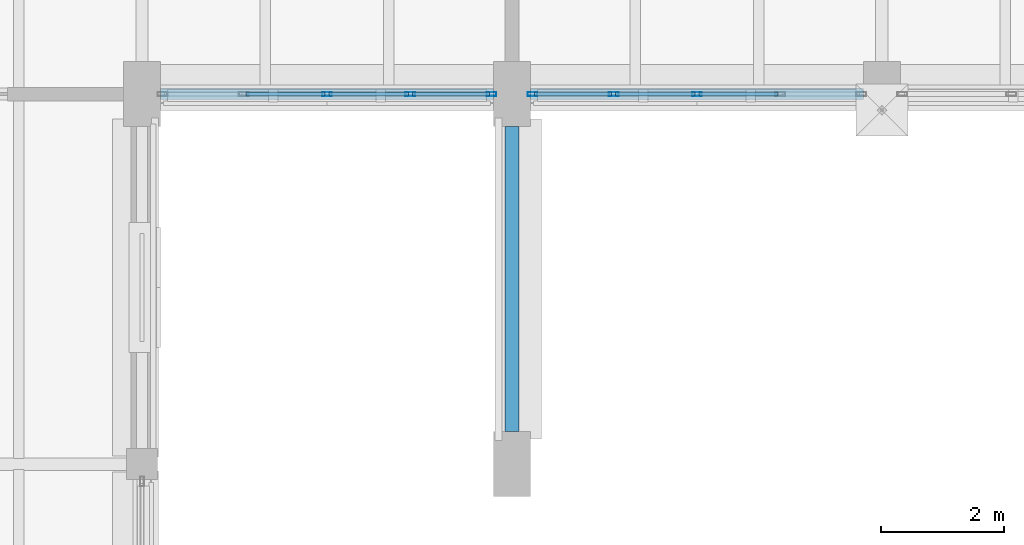
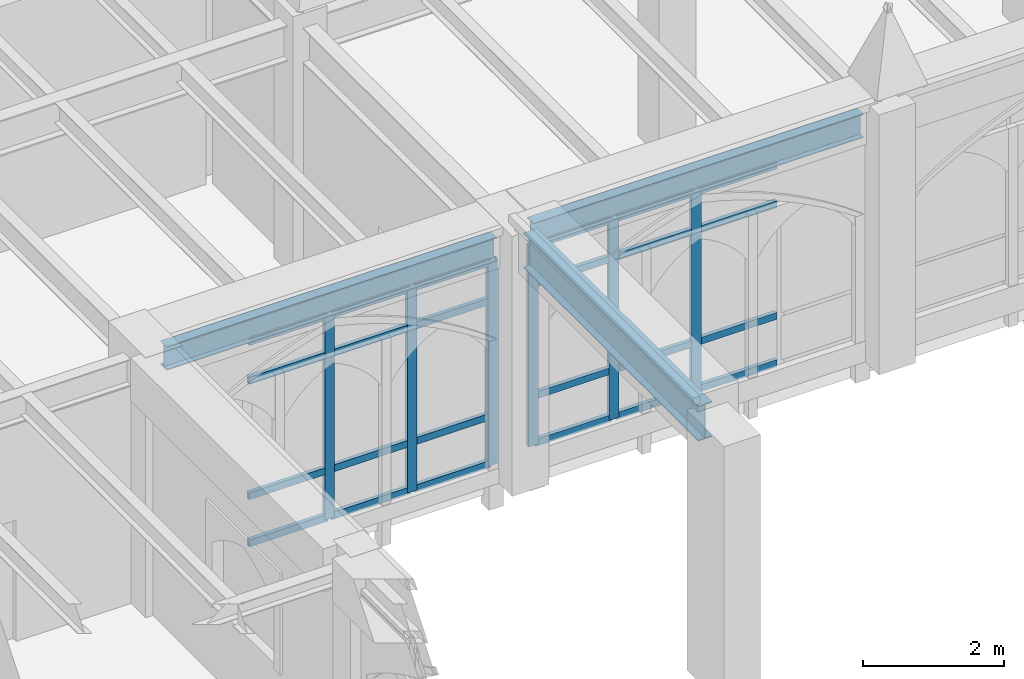
# One storey, part 52 of 143: 30 members, 3 beams, 2 elements without a shape of their own.
"""IFC4 building model written with IfcOpenShell, lengths in metres."""

import ifcopenshell
import ifcopenshell.guid

model = None  # the IFC model being written
_history = None  # IfcOwnerHistory: only IFC2X3 demands one
_inside = {}  # id of a spatial element -> (the spatial element, [elements in it])
_under = {}  # id of a project, library or spatial element -> (it, [spatial elements below it])
_declared = {}  # id of a project -> (the project, [libraries it declares])
_typed = {}  # id of a type object -> (the type object, [elements of that type])
_made_of = {}  # id of a material, layer set ... -> (it, [elements and type objects made of it])


def new_model(schema):
    """Start an empty IFC model of exactly this schema.

    Asked for "IFC4X3", IfcOpenShell would pick the latest addendum, in which some entities
    have other attributes; the version numbers below select the first issue.
    IFC2X3 requires an IfcOwnerHistory on every rooted entity: one is made here for all.
    """
    global model, _history
    if schema == "IFC4X3":
        model = ifcopenshell.file(schema_version=(4, 3, 0, 0))
    else:
        model = ifcopenshell.file(schema=schema)
    _inside.clear()
    _under.clear()
    _declared.clear()
    _typed.clear()
    _made_of.clear()
    _history = None
    if model.schema == "IFC2X3":
        org = make("IfcOrganization", Name="unknown")
        user = make(
            "IfcPersonAndOrganization",
            ThePerson=make("IfcPerson", FamilyName="unknown"),
            TheOrganization=org,
        )
        app = make(
            "IfcApplication",
            ApplicationDeveloper=org,
            Version="unknown",
            ApplicationFullName="unknown",
            ApplicationIdentifier="unknown",
        )
        _history = make(
            "IfcOwnerHistory",
            OwningUser=user,
            OwningApplication=app,
            ChangeAction="ADDED",
            CreationDate=0,
        )
    return model


def make(cls, **values):
    """One entity of the class cls with the attributes given. An attribute that is None is left unset."""
    return model.create_entity(
        cls, **{name: value for name, value in values.items() if value is not None}
    )


def rooted(cls, **values):
    """An entity with a GlobalId (a new one), such as an element, a storey or a relation."""
    return make(cls, GlobalId=ifcopenshell.guid.new(), OwnerHistory=_history, **values)


def si_unit(unit_type, name, prefix=None):
    """IfcSIUnit, for example si_unit("LENGTHUNIT", "METRE", prefix="MILLI")."""
    return make("IfcSIUnit", UnitType=unit_type, Prefix=prefix, Name=name)


def assignment(units):
    """IfcUnitAssignment: the units of a project."""
    return None if units is None else make("IfcUnitAssignment", Units=units)


def point(xyz):
    """IfcCartesianPoint."""
    return None if xyz is None else make("IfcCartesianPoint", Coordinates=xyz)


def direction(xyz):
    """IfcDirection."""
    return None if xyz is None else make("IfcDirection", DirectionRatios=xyz)


def frame(location, z_axis=None, x_axis=None):
    """IfcAxis2Placement3D, a coordinate frame: its origin and axes. An axis left out is left unset."""
    return make(
        "IfcAxis2Placement3D",
        Location=point(location),
        Axis=direction(z_axis),
        RefDirection=direction(x_axis),
    )


def frame_2d(location, x_axis=None):
    """IfcAxis2Placement2D, a coordinate frame in the plane: its origin and x axis."""
    return make(
        "IfcAxis2Placement2D", Location=point(location), RefDirection=direction(x_axis)
    )


def origin():
    """The frame at (0, 0, 0) with its axes left unset."""
    return frame((0.0, 0.0, 0.0))


def origin_2d():
    """The frame at (0, 0) in the plane with its x axis left unset."""
    return frame_2d((0.0, 0.0))


def place(relative_to, where):
    """IfcLocalPlacement: puts the frame where relative to a parent placement (None: the world)."""
    return make(
        "IfcLocalPlacement", PlacementRelTo=relative_to, RelativePlacement=where
    )


def context(
    kind, dimensions, precision=None, world=None, true_north=None, identifier=None
):
    """IfcGeometricRepresentationContext, for example the 3D "Model" context."""
    return make(
        "IfcGeometricRepresentationContext",
        ContextIdentifier=identifier,
        ContextType=kind,
        CoordinateSpaceDimension=dimensions,
        Precision=precision,
        WorldCoordinateSystem=world,
        TrueNorth=true_north,
    )


def subcontext(parent, identifier, kind, view, scale=None):
    """IfcGeometricRepresentationSubContext, for example "Body" below "Model"."""
    return make(
        "IfcGeometricRepresentationSubContext",
        ContextIdentifier=identifier,
        ContextType=kind,
        ParentContext=parent,
        TargetScale=scale,
        TargetView=view,
    )


def project(units=None, contexts=None):
    """IfcProject with its units and contexts."""
    return rooted(
        "IfcProject",
        Name="project",
        RepresentationContexts=contexts,
        UnitsInContext=assignment(units),
    )


def spatial(cls, under=None, at=None, **own):
    """A site, building, storey or space (cls), placed at a placement, below another one or the project."""
    s = rooted(cls, ObjectPlacement=at, **own)
    if under is not None:
        _under.setdefault(under.id(), (under, []))[1].append(s)
    return s


def profile(cls, at=None, kind="AREA", **sizes):
    """A parametric profile (cls). Its sizes go by their IFC names, for example OverallWidth=200.0."""
    return make(cls, ProfileType=kind, Position=at, **sizes)


def hollow_rectangle(**sizes):
    """IfcRectangleHollowProfileDef."""
    return profile("IfcRectangleHollowProfileDef", **sizes)


def i_section(**sizes):
    """IfcIShapeProfileDef."""
    return profile("IfcIShapeProfileDef", **sizes)


def extrude(swept, where, along, depth):
    """IfcExtrudedAreaSolid: the profile swept, set in the frame where, extruded along a direction by depth."""
    return make(
        "IfcExtrudedAreaSolid",
        SweptArea=swept,
        Position=where,
        ExtrudedDirection=direction(along),
        Depth=depth,
    )


def shape(context_of_items, identifier, shape_type, items):
    """IfcShapeRepresentation: the items that make up one representation, for example the "Body"."""
    return make(
        "IfcShapeRepresentation",
        ContextOfItems=context_of_items,
        RepresentationIdentifier=identifier,
        RepresentationType=shape_type,
        Items=items,
    )


def material(Name=None, Category=None):
    """IfcMaterial."""
    return make("IfcMaterial", Name=Name, Category=Category)


def layer(
    of_material, thickness, ventilated=None, Name=None, Category=None, Priority=None
):
    """IfcMaterialLayer: one layer of a wall or slab, of a material (None: an air gap)."""
    return make(
        "IfcMaterialLayer",
        Material=of_material,
        LayerThickness=thickness,
        IsVentilated=ventilated,
        Name=Name,
        Category=Category,
        Priority=Priority,
    )


def layer_set(layers, Name=None):
    """IfcMaterialLayerSet."""
    return make("IfcMaterialLayerSet", MaterialLayers=layers, LayerSetName=Name)


def material_profile(
    of_material, cross_section, Name=None, Category=None, Priority=None
):
    """IfcMaterialProfile: a cross section and its material."""
    return make(
        "IfcMaterialProfile",
        Name=Name,
        Material=of_material,
        Profile=cross_section,
        Priority=Priority,
        Category=Category,
    )


def profile_set(profiles, Name=None, composite=None):
    """IfcMaterialProfileSet."""
    return make(
        "IfcMaterialProfileSet",
        Name=Name,
        MaterialProfiles=profiles,
        CompositeProfile=composite,
    )


def made_of(thing, what):
    """Note that an element or type object is made of a material, layer set ...; save() writes the relation."""
    if what is not None:
        _made_of.setdefault(what.id(), (what, []))[1].append(thing)
    return thing


def type_object(cls, material=None, **own):
    """A type object (cls), such as IfcWallType, which elements share."""
    return made_of(rooted(cls, **own), material)


def element(
    cls,
    number,
    at=None,
    inside=None,
    cuts=None,
    type_object=None,
    material=None,
    context=None,
    identifier="Body",
    shape_type=None,
    held_by="IfcProductDefinitionShape",
    body=None,
    shapes=None,
    **own,
):
    """One element of the class cls, such as IfcWall. Its Tag is "e" and its number.

    at: its placement. inside: the storey or other place that contains it. cuts: it is an
    opening in that element (IfcRelVoidsElement). A single representation is given by context,
    identifier, shape_type and body (its items); several are given by shapes. held_by: the class
    of the entity that holds the representations. save() writes the other relations.
    """
    e = rooted(cls, Tag="e%d" % number, ObjectPlacement=at, **own)
    if body is not None:
        shapes = [shape(context, identifier, shape_type, body)]
    if shapes is not None:
        e.Representation = make(held_by, Representations=shapes)
    if inside is not None:
        _inside.setdefault(inside.id(), (inside, []))[1].append(e)
    if cuts is not None:
        rooted(
            "IfcRelVoidsElement", RelatingBuildingElement=cuts, RelatedOpeningElement=e
        )
    if type_object is not None:
        _typed.setdefault(type_object.id(), (type_object, []))[1].append(e)
    return made_of(e, material)


def aggregate(whole, parts):
    """IfcRelAggregates: a whole, such as a stair, and the parts it consists of."""
    return rooted("IfcRelAggregates", RelatingObject=whole, RelatedObjects=parts)


def save(model, path):
    """Write the relations noted so far, then the file.

    IfcRelAggregates (storeys below a building ...), IfcRelContainedInSpatialStructure (elements
    in a storey), IfcRelDefinesByType, IfcRelAssociatesMaterial and IfcRelDeclares: one each for
    every whole, place, type object, material and project.
    """
    for whole, parts in _under.values():
        aggregate(whole, parts)
    for where, things in _inside.values():
        rooted(
            "IfcRelContainedInSpatialStructure",
            RelatedElements=things,
            RelatingStructure=where,
        )
    for kind, things in _typed.values():
        rooted("IfcRelDefinesByType", RelatedObjects=things, RelatingType=kind)
    for what, things in _made_of.values():
        rooted("IfcRelAssociatesMaterial", RelatedObjects=things, RelatingMaterial=what)
    for by, libraries in _declared.values():
        rooted("IfcRelDeclares", RelatingContext=by, RelatedDefinitions=libraries)
    model.write(path)


model = new_model("IFC4")

# Units and contexts
model_context = context("Model", 3, precision=1e-05, world=origin(), true_north=direction((0.0, 1.0)))
body_context = subcontext(model_context, "Body", "Model", "MODEL_VIEW")
ifc_project = project(units=[si_unit("LENGTHUNIT", "METRE"), si_unit("AREAUNIT", "SQUARE_METRE"), si_unit("VOLUMEUNIT", "CUBIC_METRE"), si_unit("PLANEANGLEUNIT", "RADIAN"), si_unit("MASSUNIT", "GRAM", prefix="KILO")], contexts=[model_context])

# Site, building, storey
site_placement = place(None, origin())
site = spatial("IfcSite", under=ifc_project, at=site_placement, CompositionType="ELEMENT")
building_placement = place(site_placement, origin())
building = spatial("IfcBuilding", under=site, at=building_placement, Name="Cumevento Cable Car Station", CompositionType="ELEMENT")
storey_placement = place(building_placement, frame((0.0, 0.0, 9.0)))
storey = spatial("IfcBuildingStorey", under=building, at=storey_placement, Name="L03", CompositionType="ELEMENT", Elevation=9.0)

# Curtain wall, members
ifc_material_1 = material(Name="Anodised Bronze Aluminium AW-6063-T6", Category="aluminium")
ifc_layer_1 = layer(ifc_material_1, 0.219970703125)
ifc_layer_set_1 = layer_set([ifc_layer_1], Name="Anodised Bronze Aluminium AW-6063-T6")
curtain_wall_type_1 = type_object("IfcCurtainWallType", Name="Lancet Curtain Wall CW-11 1450", PredefinedType="NOTDEFINED", material=ifc_layer_set_1)
curtain_wall_1_placement = place(storey_placement, origin())
curtain_wall_1 = element("IfcCurtainWall", 1, at=curtain_wall_1_placement, inside=storey, type_object=curtain_wall_type_1, Name="Lancet Curtain Wall CW-11 L03 #106", PredefinedType="NOTDEFINED")
ifc_material_2 = material(Name="Anodised Bronze Aluminium AW-6063-T6", Category="aluminium")
ifc_material_profile_1 = material_profile(ifc_material_2, hollow_rectangle(XDim=0.06494140625, YDim=0.159912109375, WallThickness=0.00390625, at=origin_2d()), Name="ALUM65x160x4")
ifc_profile_set_1 = profile_set([ifc_material_profile_1], Name="Anodised Bronze Aluminium AW-6063-T6")
member_type_1 = type_object("IfcMemberType", Name="Curtain Mullion CWM-01 ALUM65x160x4", PredefinedType="MULLION", material=ifc_profile_set_1)
member_1_placement = place(storey_placement, frame((87.66748046875, 45.0, 0.260009765625), z_axis=(0.0, 0.0, 1.0), x_axis=(0.0, -1.0, 0.0)))
member_1 = element("IfcMember", 2, at=member_1_placement, type_object=member_type_1, Name="CW-11 mullion 1", PredefinedType="MULLION", context=body_context, shape_type="SweptSolid", body=[
    extrude(hollow_rectangle(XDim=0.06494140625, YDim=0.159912109375, WallThickness=0.00390625, at=origin_2d()), origin(), (0.0, 0.0, 1.0), 3.549072265625),
])
member_2_placement = place(storey_placement, frame((86.35009765625, 45.0, 0.260009765625), z_axis=(0.0, 0.0, 1.0), x_axis=(0.0, -1.0, 0.0)))
member_2 = element("IfcMember", 3, at=member_2_placement, type_object=member_type_1, Name="CW-11 mullion 2", PredefinedType="MULLION", context=body_context, shape_type="SweptSolid", body=[
    extrude(hollow_rectangle(XDim=0.06494140625, YDim=0.159912109375, WallThickness=0.00390625, at=origin_2d()), origin(), (0.0, 0.0, 1.0), 3.549072265625),
])
member_3_placement = place(storey_placement, frame((85.0, 45.0, 0.260009765625), z_axis=(0.0, 0.0, 1.0), x_axis=(0.0, -1.0, 0.0)))
member_3 = element("IfcMember", 4, at=member_3_placement, type_object=member_type_1, Name="CW-11 mullion 3", PredefinedType="MULLION", context=body_context, shape_type="SweptSolid", body=[
    extrude(hollow_rectangle(XDim=0.06494140625, YDim=0.159912109375, WallThickness=0.00390625, at=origin_2d()), origin(), (0.0, 0.0, 1.0), 3.549072265625),
])

ifc_material_3 = material(Name="Anodised Bronze Aluminium AW-6063-T6", Category="aluminium")
ifc_layer_2 = layer(ifc_material_3, 0.23193359375)
ifc_layer_set_2 = layer_set([ifc_layer_2], Name="Anodised Bronze Aluminium AW-6063-T6")
curtain_wall_type_2 = type_object("IfcCurtainWallType", Name="Lancet Curtain Wall CW-13 1530", PredefinedType="NOTDEFINED", material=ifc_layer_set_2)
curtain_wall_2_placement = place(storey_placement, origin())
curtain_wall_2 = element("IfcCurtainWall", 5, at=curtain_wall_2_placement, inside=storey, type_object=curtain_wall_type_2, Name="Lancet Curtain Wall CW-13 L03 #108", PredefinedType="NOTDEFINED")
member_4_placement = place(storey_placement, frame((91.0, 45.0, 0.360107421875), z_axis=(0.0, 0.0, 1.0), x_axis=(0.0, -1.0, 0.0)))
member_4 = element("IfcMember", 6, at=member_4_placement, type_object=member_type_1, Name="CW-13 mullion 3", PredefinedType="MULLION", context=body_context, shape_type="SweptSolid", body=[
    extrude(hollow_rectangle(XDim=0.06494140625, YDim=0.159912109375, WallThickness=0.00390625, at=origin_2d()), origin(), (0.0, 0.0, 1.0), 3.48486328125),
])
member_5_placement = place(storey_placement, frame((89.64990234375, 45.0, 0.360107421875), z_axis=(0.0, 0.0, 1.0), x_axis=(0.0, -1.0, 0.0)))
member_5 = element("IfcMember", 7, at=member_5_placement, type_object=member_type_1, Name="CW-13 mullion 4", PredefinedType="MULLION", context=body_context, shape_type="SweptSolid", body=[
    extrude(hollow_rectangle(XDim=0.06494140625, YDim=0.159912109375, WallThickness=0.00390625, at=origin_2d()), origin(), (0.0, 0.0, 1.0), 3.48486328125),
])
member_6_placement = place(storey_placement, frame((88.33251953125, 45.0, 0.360107421875), z_axis=(0.0, 0.0, 1.0), x_axis=(0.0, -1.0, 0.0)))
member_6 = element("IfcMember", 8, at=member_6_placement, type_object=member_type_1, Name="CW-13 mullion 5", PredefinedType="MULLION", context=body_context, shape_type="SweptSolid", body=[
    extrude(hollow_rectangle(XDim=0.06494140625, YDim=0.159912109375, WallThickness=0.00390625, at=origin_2d()), origin(), (0.0, 0.0, 1.0), 3.48486328125),
])

# Member
ifc_material_4 = material(Name="Anodised Bronze Aluminium AW-6063-T6", Category="aluminium")
ifc_material_profile_2 = material_profile(ifc_material_4, hollow_rectangle(XDim=0.06494140625, YDim=0.1201171875, WallThickness=0.00390625, at=origin_2d()), Name="ALUT65x120x4")
ifc_profile_set_2 = profile_set([ifc_material_profile_2], Name="Anodised Bronze Aluminium AW-6063-T6")
member_type_2 = type_object("IfcMemberType", Name="Curtain Transom CWT-01 ALUT65x120x4", PredefinedType="USERDEFINED", material=ifc_profile_set_2)
member_7_placement = place(storey_placement, frame((87.635009765625, 45.0, 0.29248046875), z_axis=(-1.0, 0.0, 0.0), x_axis=(0.0, -1.0, 0.0)))
member_7 = element("IfcMember", 9, at=member_7_placement, type_object=member_type_2, Name="CW-11 transom 1.1", ObjectType="TRANSOM", PredefinedType="USERDEFINED", context=body_context, shape_type="SweptSolid", body=[
    extrude(hollow_rectangle(XDim=0.06494140625, YDim=0.1201171875, WallThickness=0.00390625, at=origin_2d()), origin(), (0.0, 0.0, 1.0), 1.25244140625),
])

member_8_placement = place(storey_placement, frame((87.635009765625, 45.0, 1.110107421875), z_axis=(-1.0, 0.0, 0.0), x_axis=(0.0, -1.0, 0.0)))
member_8 = element("IfcMember", 10, at=member_8_placement, type_object=member_type_2, Name="CW-11 transom 1.2", ObjectType="TRANSOM", PredefinedType="USERDEFINED", context=body_context, shape_type="SweptSolid", body=[
    extrude(hollow_rectangle(XDim=0.06494140625, YDim=0.1201171875, WallThickness=0.00390625, at=origin_2d()), origin(), (0.0, 0.0, 1.0), 1.25244140625),
])

member_9_placement = place(storey_placement, frame((87.635009765625, 45.0, 3.10888671875), z_axis=(-1.0, 0.0, 0.0), x_axis=(0.0, -1.0, 0.0)))
member_9 = element("IfcMember", 11, at=member_9_placement, type_object=member_type_2, Name="CW-11 transom 1.3", ObjectType="TRANSOM", PredefinedType="USERDEFINED", context=body_context, shape_type="SweptSolid", body=[
    extrude(hollow_rectangle(XDim=0.06494140625, YDim=0.1201171875, WallThickness=0.00390625, at=origin_2d()), origin(), (0.0, 0.0, 1.0), 1.25244140625),
])

member_10_placement = place(storey_placement, frame((87.635009765625, 45.0, 3.776611328125), z_axis=(-1.0, 0.0, 0.0), x_axis=(0.0, -1.0, 0.0)))
member_10 = element("IfcMember", 12, at=member_10_placement, type_object=member_type_2, Name="CW-11 transom 1.4", ObjectType="TRANSOM", PredefinedType="USERDEFINED", context=body_context, shape_type="SweptSolid", body=[
    extrude(hollow_rectangle(XDim=0.06494140625, YDim=0.1201171875, WallThickness=0.00390625, at=origin_2d()), origin(), (0.0, 0.0, 1.0), 1.25244140625),
])

member_11_placement = place(storey_placement, frame((86.3173828125, 45.0, 0.29248046875), z_axis=(-1.0, 0.0, 0.0), x_axis=(0.0, -1.0, 0.0)))
member_11 = element("IfcMember", 13, at=member_11_placement, type_object=member_type_2, Name="CW-11 transom 2.1", ObjectType="TRANSOM", PredefinedType="USERDEFINED", context=body_context, shape_type="SweptSolid", body=[
    extrude(hollow_rectangle(XDim=0.06494140625, YDim=0.1201171875, WallThickness=0.00390625, at=origin_2d()), origin(), (0.0, 0.0, 1.0), 1.284912109375),
])

member_12_placement = place(storey_placement, frame((86.3173828125, 45.0, 1.110107421875), z_axis=(-1.0, 0.0, 0.0), x_axis=(0.0, -1.0, 0.0)))
member_12 = element("IfcMember", 14, at=member_12_placement, type_object=member_type_2, Name="CW-11 transom 2.2", ObjectType="TRANSOM", PredefinedType="USERDEFINED", context=body_context, shape_type="SweptSolid", body=[
    extrude(hollow_rectangle(XDim=0.06494140625, YDim=0.1201171875, WallThickness=0.00390625, at=origin_2d()), origin(), (0.0, 0.0, 1.0), 1.284912109375),
])

member_13_placement = place(storey_placement, frame((86.3173828125, 45.0, 3.10888671875), z_axis=(-1.0, 0.0, 0.0), x_axis=(0.0, -1.0, 0.0)))
member_13 = element("IfcMember", 15, at=member_13_placement, type_object=member_type_2, Name="CW-11 transom 2.3", ObjectType="TRANSOM", PredefinedType="USERDEFINED", context=body_context, shape_type="SweptSolid", body=[
    extrude(hollow_rectangle(XDim=0.06494140625, YDim=0.1201171875, WallThickness=0.00390625, at=origin_2d()), origin(), (0.0, 0.0, 1.0), 1.284912109375),
])

member_14_placement = place(storey_placement, frame((86.3173828125, 45.0, 3.776611328125), z_axis=(-1.0, 0.0, 0.0), x_axis=(0.0, -1.0, 0.0)))
member_14 = element("IfcMember", 16, at=member_14_placement, type_object=member_type_2, Name="CW-11 transom 2.4", ObjectType="TRANSOM", PredefinedType="USERDEFINED", context=body_context, shape_type="SweptSolid", body=[
    extrude(hollow_rectangle(XDim=0.06494140625, YDim=0.1201171875, WallThickness=0.00390625, at=origin_2d()), origin(), (0.0, 0.0, 1.0), 1.284912109375),
])

member_15_placement = place(storey_placement, frame((84.967529296875, 45.0, 0.29248046875), z_axis=(-1.0, 0.0, 0.0), x_axis=(0.0, -1.0, 0.0)))
member_15 = element("IfcMember", 17, at=member_15_placement, type_object=member_type_2, Name="CW-11 transom 3.1", ObjectType="TRANSOM", PredefinedType="USERDEFINED", context=body_context, shape_type="SweptSolid", body=[
    extrude(hollow_rectangle(XDim=0.06494140625, YDim=0.1201171875, WallThickness=0.00390625, at=origin_2d()), origin(), (0.0, 0.0, 1.0), 1.284912109375),
])

member_16_placement = place(storey_placement, frame((84.967529296875, 45.0, 1.110107421875), z_axis=(-1.0, 0.0, 0.0), x_axis=(0.0, -1.0, 0.0)))
member_16 = element("IfcMember", 18, at=member_16_placement, type_object=member_type_2, Name="CW-11 transom 3.2", ObjectType="TRANSOM", PredefinedType="USERDEFINED", context=body_context, shape_type="SweptSolid", body=[
    extrude(hollow_rectangle(XDim=0.06494140625, YDim=0.1201171875, WallThickness=0.00390625, at=origin_2d()), origin(), (0.0, 0.0, 1.0), 1.284912109375),
])

member_17_placement = place(storey_placement, frame((84.967529296875, 45.0, 3.10888671875), z_axis=(-1.0, 0.0, 0.0), x_axis=(0.0, -1.0, 0.0)))
member_17 = element("IfcMember", 19, at=member_17_placement, type_object=member_type_2, Name="CW-11 transom 3.3", ObjectType="TRANSOM", PredefinedType="USERDEFINED", context=body_context, shape_type="SweptSolid", body=[
    extrude(hollow_rectangle(XDim=0.06494140625, YDim=0.1201171875, WallThickness=0.00390625, at=origin_2d()), origin(), (0.0, 0.0, 1.0), 1.284912109375),
])

member_18_placement = place(storey_placement, frame((84.967529296875, 45.0, 3.776611328125), z_axis=(-1.0, 0.0, 0.0), x_axis=(0.0, -1.0, 0.0)))
member_18 = element("IfcMember", 20, at=member_18_placement, type_object=member_type_2, Name="CW-11 transom 3.4", ObjectType="TRANSOM", PredefinedType="USERDEFINED", context=body_context, shape_type="SweptSolid", body=[
    extrude(hollow_rectangle(XDim=0.06494140625, YDim=0.1201171875, WallThickness=0.00390625, at=origin_2d()), origin(), (0.0, 0.0, 1.0), 1.284912109375),
])

aggregate(curtain_wall_1, [member_1, member_2, member_3, member_7, member_8, member_9, member_10, member_11, member_12, member_13, member_14, member_15, member_16, member_17, member_18])

member_19_placement = place(storey_placement, frame((92.3173828125, 45.0, 0.392578125), z_axis=(-1.0, 0.0, 0.0), x_axis=(0.0, -1.0, 0.0)))
member_19 = element("IfcMember", 21, at=member_19_placement, type_object=member_type_2, Name="CW-13 transom 2.1", ObjectType="TRANSOM", PredefinedType="USERDEFINED", context=body_context, shape_type="SweptSolid", body=[
    extrude(hollow_rectangle(XDim=0.06494140625, YDim=0.1201171875, WallThickness=0.00390625, at=origin_2d()), origin(), (0.0, 0.0, 1.0), 1.284912109375),
])

member_20_placement = place(storey_placement, frame((92.3173828125, 45.0, 1.2099609375), z_axis=(-1.0, 0.0, 0.0), x_axis=(0.0, -1.0, 0.0)))
member_20 = element("IfcMember", 22, at=member_20_placement, type_object=member_type_2, Name="CW-13 transom 2.2", ObjectType="TRANSOM", PredefinedType="USERDEFINED", context=body_context, shape_type="SweptSolid", body=[
    extrude(hollow_rectangle(XDim=0.06494140625, YDim=0.1201171875, WallThickness=0.00390625, at=origin_2d()), origin(), (0.0, 0.0, 1.0), 1.284912109375),
])

member_21_placement = place(storey_placement, frame((92.3173828125, 45.0, 3.14501953125), z_axis=(-1.0, 0.0, 0.0), x_axis=(0.0, -1.0, 0.0)))
member_21 = element("IfcMember", 23, at=member_21_placement, type_object=member_type_2, Name="CW-13 transom 2.3", ObjectType="TRANSOM", PredefinedType="USERDEFINED", context=body_context, shape_type="SweptSolid", body=[
    extrude(hollow_rectangle(XDim=0.06494140625, YDim=0.1201171875, WallThickness=0.00390625, at=origin_2d()), origin(), (0.0, 0.0, 1.0), 1.284912109375),
])

member_22_placement = place(storey_placement, frame((92.3173828125, 45.0, 3.8125), z_axis=(-1.0, 0.0, 0.0), x_axis=(0.0, -1.0, 0.0)))
member_22 = element("IfcMember", 24, at=member_22_placement, type_object=member_type_2, Name="CW-13 transom 2.4", ObjectType="TRANSOM", PredefinedType="USERDEFINED", context=body_context, shape_type="SweptSolid", body=[
    extrude(hollow_rectangle(XDim=0.06494140625, YDim=0.1201171875, WallThickness=0.00390625, at=origin_2d()), origin(), (0.0, 0.0, 1.0), 1.284912109375),
])

member_23_placement = place(storey_placement, frame((90.967529296875, 45.0, 0.392578125), z_axis=(-1.0, 0.0, 0.0), x_axis=(0.0, -1.0, 0.0)))
member_23 = element("IfcMember", 25, at=member_23_placement, type_object=member_type_2, Name="CW-13 transom 3.1", ObjectType="TRANSOM", PredefinedType="USERDEFINED", context=body_context, shape_type="SweptSolid", body=[
    extrude(hollow_rectangle(XDim=0.06494140625, YDim=0.1201171875, WallThickness=0.00390625, at=origin_2d()), origin(), (0.0, 0.0, 1.0), 1.284912109375),
])

member_24_placement = place(storey_placement, frame((90.967529296875, 45.0, 1.2099609375), z_axis=(-1.0, 0.0, 0.0), x_axis=(0.0, -1.0, 0.0)))
member_24 = element("IfcMember", 26, at=member_24_placement, type_object=member_type_2, Name="CW-13 transom 3.2", ObjectType="TRANSOM", PredefinedType="USERDEFINED", context=body_context, shape_type="SweptSolid", body=[
    extrude(hollow_rectangle(XDim=0.06494140625, YDim=0.1201171875, WallThickness=0.00390625, at=origin_2d()), origin(), (0.0, 0.0, 1.0), 1.284912109375),
])

member_25_placement = place(storey_placement, frame((90.967529296875, 45.0, 3.14501953125), z_axis=(-1.0, 0.0, 0.0), x_axis=(0.0, -1.0, 0.0)))
member_25 = element("IfcMember", 27, at=member_25_placement, type_object=member_type_2, Name="CW-13 transom 3.3", ObjectType="TRANSOM", PredefinedType="USERDEFINED", context=body_context, shape_type="SweptSolid", body=[
    extrude(hollow_rectangle(XDim=0.06494140625, YDim=0.1201171875, WallThickness=0.00390625, at=origin_2d()), origin(), (0.0, 0.0, 1.0), 1.284912109375),
])

member_26_placement = place(storey_placement, frame((90.967529296875, 45.0, 3.8125), z_axis=(-1.0, 0.0, 0.0), x_axis=(0.0, -1.0, 0.0)))
member_26 = element("IfcMember", 28, at=member_26_placement, type_object=member_type_2, Name="CW-13 transom 3.4", ObjectType="TRANSOM", PredefinedType="USERDEFINED", context=body_context, shape_type="SweptSolid", body=[
    extrude(hollow_rectangle(XDim=0.06494140625, YDim=0.1201171875, WallThickness=0.00390625, at=origin_2d()), origin(), (0.0, 0.0, 1.0), 1.284912109375),
])

member_27_placement = place(storey_placement, frame((89.617431640625, 45.0, 0.392578125), z_axis=(-1.0, 0.0, 0.0), x_axis=(0.0, -1.0, 0.0)))
member_27 = element("IfcMember", 29, at=member_27_placement, type_object=member_type_2, Name="CW-13 transom 4.1", ObjectType="TRANSOM", PredefinedType="USERDEFINED", context=body_context, shape_type="SweptSolid", body=[
    extrude(hollow_rectangle(XDim=0.06494140625, YDim=0.1201171875, WallThickness=0.00390625, at=origin_2d()), origin(), (0.0, 0.0, 1.0), 1.25244140625),
])

member_28_placement = place(storey_placement, frame((89.617431640625, 45.0, 1.2099609375), z_axis=(-1.0, 0.0, 0.0), x_axis=(0.0, -1.0, 0.0)))
member_28 = element("IfcMember", 30, at=member_28_placement, type_object=member_type_2, Name="CW-13 transom 4.2", ObjectType="TRANSOM", PredefinedType="USERDEFINED", context=body_context, shape_type="SweptSolid", body=[
    extrude(hollow_rectangle(XDim=0.06494140625, YDim=0.1201171875, WallThickness=0.00390625, at=origin_2d()), origin(), (0.0, 0.0, 1.0), 1.25244140625),
])

member_29_placement = place(storey_placement, frame((89.617431640625, 45.0, 3.14501953125), z_axis=(-1.0, 0.0, 0.0), x_axis=(0.0, -1.0, 0.0)))
member_29 = element("IfcMember", 31, at=member_29_placement, type_object=member_type_2, Name="CW-13 transom 4.3", ObjectType="TRANSOM", PredefinedType="USERDEFINED", context=body_context, shape_type="SweptSolid", body=[
    extrude(hollow_rectangle(XDim=0.06494140625, YDim=0.1201171875, WallThickness=0.00390625, at=origin_2d()), origin(), (0.0, 0.0, 1.0), 1.25244140625),
])

member_30_placement = place(storey_placement, frame((89.617431640625, 45.0, 3.8125), z_axis=(-1.0, 0.0, 0.0), x_axis=(0.0, -1.0, 0.0)))
member_30 = element("IfcMember", 32, at=member_30_placement, type_object=member_type_2, Name="CW-13 transom 4.4", ObjectType="TRANSOM", PredefinedType="USERDEFINED", context=body_context, shape_type="SweptSolid", body=[
    extrude(hollow_rectangle(XDim=0.06494140625, YDim=0.1201171875, WallThickness=0.00390625, at=origin_2d()), origin(), (0.0, 0.0, 1.0), 1.25244140625),
])

aggregate(curtain_wall_2, [member_4, member_5, member_6, member_19, member_20, member_21, member_22, member_23, member_24, member_25, member_26, member_27, member_28, member_29, member_30])

# Beams
ifc_material_5 = material(Name="Steel ASTM A572 Grade 50", Category="steel")
ifc_material_profile_3 = material_profile(ifc_material_5, i_section(OverallWidth=0.22802734375, OverallDepth=0.60791015625, WebThickness=0.01123046875, FlangeThickness=0.017333984375, at=origin_2d()), Name="W610x113.0")
ifc_profile_set_3 = profile_set([ifc_material_profile_3], Name="Steel ASTM A572 Grade 50")
beam_type_1 = type_object("IfcBeamType", Name="Structural Beam BM-02 W610x113.0", PredefinedType="BEAM", material=ifc_profile_set_3)
beam_placement = place(storey_placement, frame((88.0, 39.52490234375, 4.196044921875), z_axis=(0.0, 1.0, 0.0), x_axis=(-1.0, 0.0, 0.0)))
element("IfcBeam", 33, at=beam_placement, inside=storey, type_object=beam_type_1, Name="South Downhill Foothill Ropeway Cabin Portal Buttress Tie Girder L03 #93", PredefinedType="BEAM", context=body_context, shape_type="SweptSolid", body=[
    extrude(i_section(OverallWidth=0.22802734375, OverallDepth=0.60791015625, WebThickness=0.01123046875, FlangeThickness=0.017333984375, at=origin_2d()), origin(), (0.0, 0.0, 1.0), 4.9501953125),
])
ifc_material_6 = material(Name="Steel ASTM A572 Grade 50", Category="steel")
ifc_material_profile_4 = material_profile(ifc_material_6, i_section(OverallWidth=0.177978515625, OverallDepth=0.406982421875, WebThickness=0.0078125, FlangeThickness=0.0126953125, at=origin_2d()), Name="W410x60.0")
ifc_profile_set_4 = profile_set([ifc_material_profile_4], Name="Steel ASTM A572 Grade 50")
beam_type_2 = type_object("IfcBeamType", Name="Structural Spandrel SP-01 W410x60.0", PredefinedType="SPANDREL", material=ifc_profile_set_4)
for number, where, z_axis, x_axis, name in (
    (34, (82.300048828125, 45.0, 4.012451171875), (1.0, 0.0, 0.0), (0.0, 1.0, 0.0), "Beam SP-01 L03 #1066"),
    (35, (88.300048828125, 45.0, 4.048583984375), (1.0, 0.0, 0.0), (0.0, 1.0, 0.0), "Beam SP-01 L03 #1083"),
):
    element("IfcBeam", number, at=place(storey_placement, frame(where, z_axis=z_axis, x_axis=x_axis)), inside=storey, type_object=beam_type_2, Name=name, PredefinedType="SPANDREL", context=body_context, shape_type="SweptSolid", body=[
        extrude(i_section(OverallWidth=0.177978515625, OverallDepth=0.406982421875, WebThickness=0.0078125, FlangeThickness=0.0126953125, at=origin_2d()), origin(), (0.0, 0.0, 1.0), 5.39990234375),
    ])

save(model, "model.ifc")
